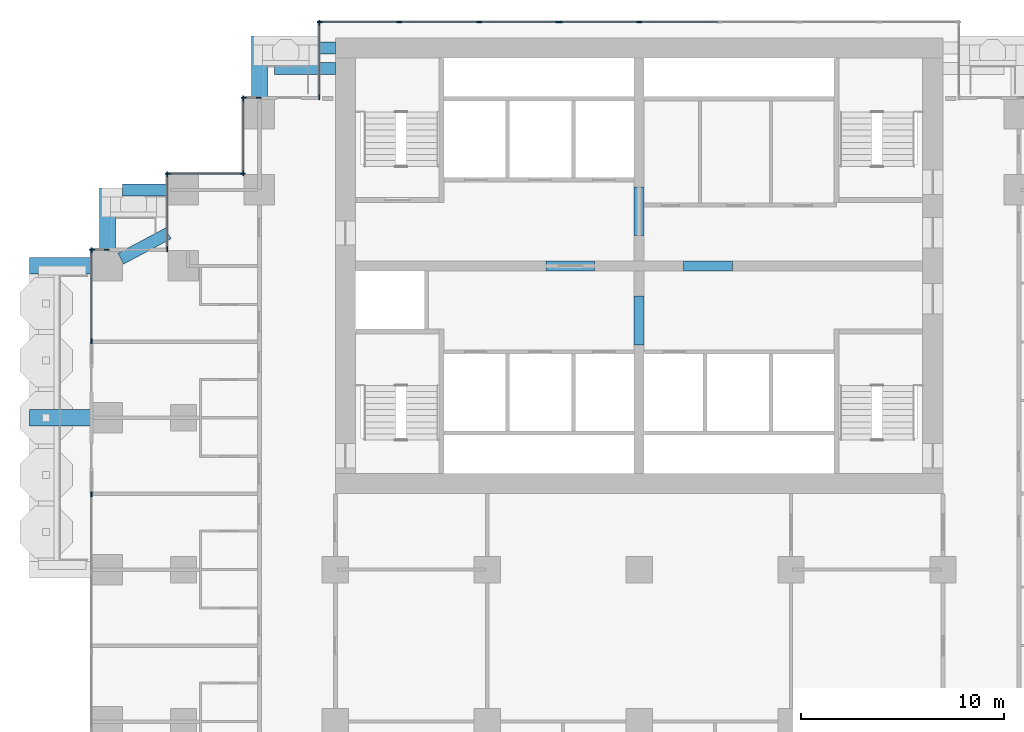
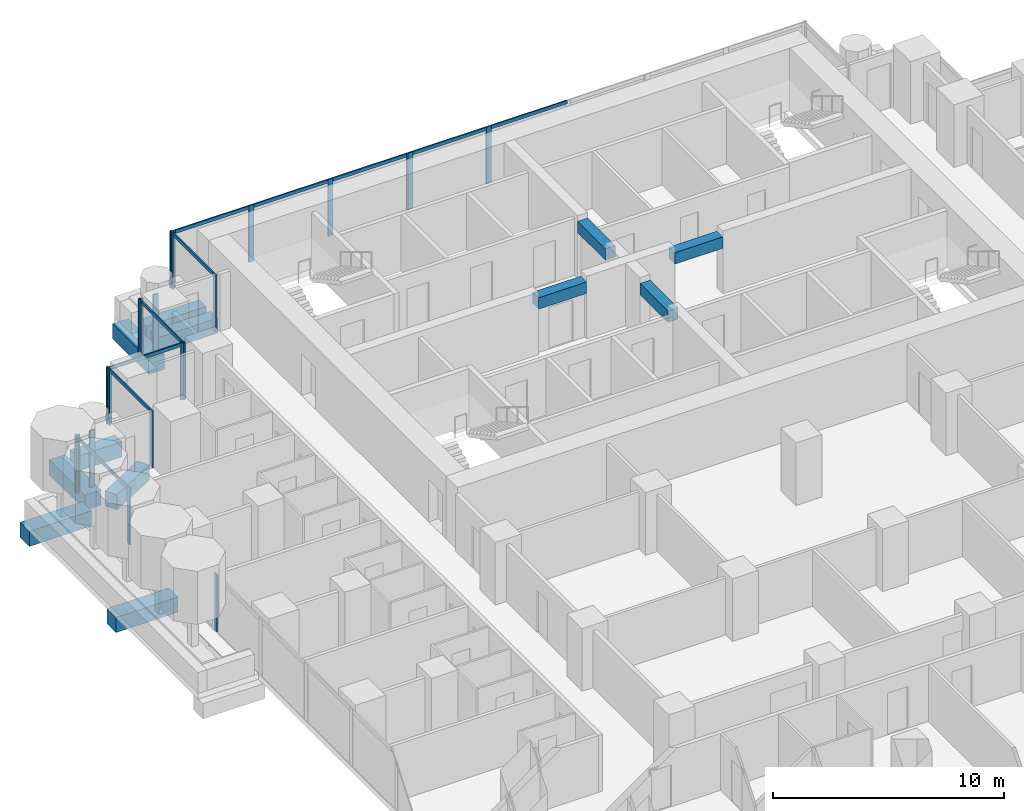
# One storey, part 5 of 18: 31 members, 12 beams, 10 elements without a shape of their own.
"""IFC4 building model written with IfcOpenShell, lengths in metres."""

from ifc_helpers import new_model, si_unit, direction, frame, origin, origin_2d, place, context, subcontext, project, spatial, rectangle, extrude, material, material_profile, profile_set, type_object, element, aggregate, save


model = new_model("IFC4")

# Units and contexts
model_context = context("Model", 3, precision=1e-05, world=origin(), true_north=direction((0.0, 1.0)))
body_context = subcontext(model_context, "Body", "Model", "MODEL_VIEW")
ifc_project = project(units=[si_unit("LENGTHUNIT", "METRE"), si_unit("AREAUNIT", "SQUARE_METRE"), si_unit("VOLUMEUNIT", "CUBIC_METRE"), si_unit("PLANEANGLEUNIT", "RADIAN"), si_unit("MASSUNIT", "GRAM", prefix="KILO")], contexts=[model_context])

# Site, building, storey
site_placement = place(None, origin())
site = spatial("IfcSite", under=ifc_project, at=site_placement, CompositionType="ELEMENT")
building_placement = place(site_placement, origin())
building = spatial("IfcBuilding", under=site, at=building_placement, Name="Pilkhan Gate Tower", CompositionType="ELEMENT")
storey_placement = place(building_placement, frame((0.0, 0.0, 75.800048828125)))
storey = spatial("IfcBuildingStorey", under=building, at=storey_placement, Name="L17", CompositionType="ELEMENT", Elevation=75.800048828125)

# Beams
ifc_material_1 = material(Name="Concrete C50/60", Category="concrete")
ifc_material_profile_1 = material_profile(ifc_material_1, rectangle(XDim=0.60009765625, YDim=0.800048828125, at=origin_2d()), Name="RC 600x800")
ifc_profile_set_1 = profile_set([ifc_material_profile_1], Name="Concrete C50/60")
beam_type_1 = type_object("IfcBeamType", Name="Cantilever beam CB1 RC 600x800 C50/60", PredefinedType="BEAM", material=ifc_profile_set_1)
for number, where, z_axis, x_axis, name in (
    (1, (60.0, 93.25, -0.699951171875), (-1.0, 0.0, 0.0), (0.0, -1.0, 0.0), "Balcony beam NW.2 L17"),
    (2, (60.0, 92.25, -0.699951171875), (-1.0, 0.0, 0.0), (0.0, -1.0, 0.0), "Balcony beam NW.3 L17"),
):
    element("IfcBeam", number, at=place(storey_placement, frame(where, z_axis=z_axis, x_axis=x_axis)), inside=storey, type_object=beam_type_1, Name=name, PredefinedType="BEAM", context=body_context, shape_type="SweptSolid", body=[
        extrude(rectangle(XDim=0.60009765625, YDim=0.800048828125, at=origin_2d()), origin(), (0.0, 0.0, 1.0), 3.0),
    ])
beam_1_placement = place(storey_placement, frame((51.75, 86.25, -0.699951171875), z_axis=(-1.0, 0.0, 0.0), x_axis=(0.0, -1.0, 0.0)))
element("IfcBeam", 3, at=beam_1_placement, inside=storey, type_object=beam_type_1, Name="Balcony beam NW2.2 L17", PredefinedType="BEAM", context=body_context, shape_type="SweptSolid", body=[
    extrude(rectangle(XDim=0.60009765625, YDim=0.800048828125, at=origin_2d()), origin(), (0.0, 0.0, 1.0), 2.25),
])
beam_2_placement = place(storey_placement, frame((49.411865234375, 82.85302734375, -0.699951171875), z_axis=(0.882342739565, 0.470607362817, 0.0), x_axis=(-0.470607362817, 0.882342739565, 0.0)))
element("IfcBeam", 4, at=beam_2_placement, inside=storey, type_object=beam_type_1, Name="Balcony beam NW2.3 L17", PredefinedType="BEAM", context=body_context, shape_type="SweptSolid", body=[
    extrude(rectangle(XDim=0.60009765625, YDim=0.800048828125, at=origin_2d()), origin(), (0.0, 0.0, 1.0), 2.64990234375),
])
ifc_material_profile_2 = material_profile(ifc_material_1, rectangle(XDim=0.800048828125, YDim=0.800048828125, at=origin_2d()), Name="RC 800x800")
ifc_profile_set_2 = profile_set([ifc_material_profile_2], Name="Concrete C50/60")
beam_type_2 = type_object("IfcBeamType", Name="Cantilever beam CB2 RC 800x800 C50/60", PredefinedType="BEAM", material=ifc_profile_set_2)
for number, where, z_axis, x_axis, name in (
    (5, (56.25, 90.75, -0.699951171875), (0.0, 1.0, 0.0), (-1.0, 0.0, 0.0), "Balcony beam NW.1 L17"),
    (6, (48.75, 83.25, -0.699951171875), (0.0, 1.0, 0.0), (-1.0, 0.0, 0.0), "Balcony beam NW2.1 L17"),
    (7, (48.0, 75.0, -0.699951171875), (-1.0, 0.0, 0.0), (0.0, -1.0, 0.0), "Balcony beam W.2 L17"),
    (8, (48.0, 82.5, -0.699951171875), (-1.0, 0.0, 0.0), (0.0, -1.0, 0.0), "Balcony beam W.3 L17"),
):
    element("IfcBeam", number, at=place(storey_placement, frame(where, z_axis=z_axis, x_axis=x_axis)), inside=storey, type_object=beam_type_2, Name=name, PredefinedType="BEAM", context=body_context, shape_type="SweptSolid", body=[
        extrude(rectangle(XDim=0.800048828125, YDim=0.800048828125, at=origin_2d()), origin(), (0.0, 0.0, 1.0), 3.10009765625),
    ])
ifc_material_2 = material(Name="Concrete C70/85", Category="concrete")
ifc_material_profile_3 = material_profile(ifc_material_2, rectangle(XDim=0.5, YDim=0.60009765625, at=origin_2d()), Name="RC 500x600")
ifc_profile_set_3 = profile_set([ifc_material_profile_3], Name="Concrete C70/85")
beam_type_3 = type_object("IfcBeamType", Name="Coupling beam CB60 RC 500x600 C70/85", PredefinedType="LINTEL", material=ifc_profile_set_3)
for number, where, z_axis, x_axis, name in (
    (9, (70.39990234375, 82.5, 2.699951171875), (1.0, 0.0, 0.0), (0.0, 1.0, 0.0), "Coupling beam 1 L17"),
    (10, (77.199951171875, 82.5, 2.699951171875), (1.0, 0.0, 0.0), (0.0, 1.0, 0.0), "Coupling beam 2 L17"),
):
    element("IfcBeam", number, at=place(storey_placement, frame(where, z_axis=z_axis, x_axis=x_axis)), inside=storey, type_object=beam_type_3, Name=name, PredefinedType="LINTEL", context=body_context, shape_type="SweptSolid", body=[
        extrude(rectangle(XDim=0.5, YDim=0.60009765625, at=origin_2d()), origin(), (0.0, 0.0, 1.0), 2.400146484375),
    ])
for number, where, z_axis, x_axis, name in (
    (11, (75.0, 78.60009765625, 2.699951171875), (0.0, 1.0, 0.0), (-1.0, 0.0, 0.0), "Coupling beam 3 L17"),
    (12, (75.0, 84.0, 2.699951171875), (0.0, 1.0, 0.0), (-1.0, 0.0, 0.0), "Coupling beam 4 L17"),
):
    element("IfcBeam", number, at=place(storey_placement, frame(where, z_axis=z_axis, x_axis=x_axis)), inside=storey, type_object=beam_type_3, Name=name, PredefinedType="LINTEL", context=body_context, shape_type="SweptSolid", body=[
        extrude(rectangle(XDim=0.5, YDim=0.60009765625, at=origin_2d()), origin(), (0.0, 0.0, 1.0), 2.39990234375),
    ])

# Curtain wall, members
ifc_material_3 = material(Name="Pale anodised aluminium, clear low-iron double glazing", Category="aluminium")
curtain_wall_type = type_object("IfcCurtainWallType", Name="Hotel unitised curtain wall CW-H", PredefinedType="USERDEFINED", material=ifc_material_3)
curtain_wall_1_placement = place(storey_placement, origin())
curtain_wall_1 = element("IfcCurtainWall", 13, at=curtain_wall_1_placement, inside=storey, type_object=curtain_wall_type, Name="Hotel unitised curtain wall CW-H L17 N", ObjectType="UNITISED CURTAIN WALL", PredefinedType="USERDEFINED")
ifc_material_4 = material(Name="Pale anodised aluminium", Category="aluminium")
ifc_material_profile_4 = material_profile(ifc_material_4, rectangle(XDim=0.06494140625, YDim=0.25, at=origin_2d()), Name="Mullion 250x65")
ifc_profile_set_4 = profile_set([ifc_material_profile_4], Name="Pale anodised aluminium")
member_type_1 = type_object("IfcMemberType", Name="Mullion CW-H 250x65", PredefinedType="MULLION", material=ifc_profile_set_4)
member_1_placement = place(storey_placement, frame((59.237548828125, 94.544921875, 0.0), z_axis=(0.0, 0.0, 1.0), x_axis=(0.0, 1.0, 0.0)))
member_1 = element("IfcMember", 14, at=member_1_placement, type_object=member_type_1, Name="CW-H mullion 1", PredefinedType="MULLION", context=body_context, shape_type="SweptSolid", body=[
    extrude(rectangle(XDim=0.06494140625, YDim=0.25, at=origin_2d()), origin(), (0.0, 0.0, 1.0), 3.0),
])
member_2_placement = place(storey_placement, frame((63.15380859375, 94.544921875, 0.0), z_axis=(0.0, 0.0, 1.0), x_axis=(0.0, 1.0, 0.0)))
member_2 = element("IfcMember", 15, at=member_2_placement, type_object=member_type_1, Name="CW-H mullion 2", PredefinedType="MULLION", context=body_context, shape_type="SweptSolid", body=[
    extrude(rectangle(XDim=0.06494140625, YDim=0.25, at=origin_2d()), origin(), (0.0, 0.0, 1.0), 3.0),
])
member_3_placement = place(storey_placement, frame((67.1025390625, 94.544921875, 0.0), z_axis=(0.0, 0.0, 1.0), x_axis=(0.0, 1.0, 0.0)))
member_3 = element("IfcMember", 16, at=member_3_placement, type_object=member_type_1, Name="CW-H mullion 3", PredefinedType="MULLION", context=body_context, shape_type="SweptSolid", body=[
    extrude(rectangle(XDim=0.06494140625, YDim=0.25, at=origin_2d()), origin(), (0.0, 0.0, 1.0), 3.0),
])
member_4_placement = place(storey_placement, frame((71.018798828125, 94.544921875, 0.0), z_axis=(0.0, 0.0, 1.0), x_axis=(0.0, 1.0, 0.0)))
member_4 = element("IfcMember", 17, at=member_4_placement, type_object=member_type_1, Name="CW-H mullion 4", PredefinedType="MULLION", context=body_context, shape_type="SweptSolid", body=[
    extrude(rectangle(XDim=0.06494140625, YDim=0.25, at=origin_2d()), origin(), (0.0, 0.0, 1.0), 3.0),
])

curtain_wall_2_placement = place(storey_placement, origin())
curtain_wall_2 = element("IfcCurtainWall", 18, at=curtain_wall_2_placement, inside=storey, type_object=curtain_wall_type, Name="Hotel unitised curtain wall CW-H L17 N", ObjectType="UNITISED CURTAIN WALL", PredefinedType="USERDEFINED")
member_5_placement = place(storey_placement, frame((71.083740234375, 94.544921875, 0.0), z_axis=(0.0, 0.0, 1.0), x_axis=(0.0, 1.0, 0.0)))
member_5 = element("IfcMember", 19, at=member_5_placement, type_object=member_type_1, Name="CW-H mullion 1", PredefinedType="MULLION", context=body_context, shape_type="SweptSolid", body=[
    extrude(rectangle(XDim=0.06494140625, YDim=0.25, at=origin_2d()), origin(), (0.0, 0.0, 1.0), 3.0),
])
member_6_placement = place(storey_placement, frame((75.0, 94.544921875, 0.0), z_axis=(0.0, 0.0, 1.0), x_axis=(0.0, 1.0, 0.0)))
member_6 = element("IfcMember", 20, at=member_6_placement, type_object=member_type_1, Name="CW-H mullion 2", PredefinedType="MULLION", context=body_context, shape_type="SweptSolid", body=[
    extrude(rectangle(XDim=0.06494140625, YDim=0.25, at=origin_2d()), origin(), (0.0, 0.0, 1.0), 3.0),
])

curtain_wall_3_placement = place(storey_placement, origin())
curtain_wall_3 = element("IfcCurtainWall", 21, at=curtain_wall_3_placement, inside=storey, type_object=curtain_wall_type, Name="Hotel unitised curtain wall CW-H L17 W", ObjectType="UNITISED CURTAIN WALL", PredefinedType="USERDEFINED")
member_7_placement = place(storey_placement, frame((59.205078125, 90.827392578125, 0.0), z_axis=(0.0, 0.0, 1.0), x_axis=(-1.0, 0.0, 0.0)))
member_7 = element("IfcMember", 22, at=member_7_placement, type_object=member_type_1, Name="CW-H mullion 1", PredefinedType="MULLION", context=body_context, shape_type="SweptSolid", body=[
    extrude(rectangle(XDim=0.06494140625, YDim=0.25, at=origin_2d()), origin(), (0.0, 0.0, 1.0), 3.0),
])
member_8_placement = place(storey_placement, frame((59.205078125, 94.512451171875, 0.0), z_axis=(0.0, 0.0, 1.0), x_axis=(-1.0, 0.0, 0.0)))
member_8 = element("IfcMember", 23, at=member_8_placement, type_object=member_type_1, Name="CW-H mullion 2", PredefinedType="MULLION", context=body_context, shape_type="SweptSolid", body=[
    extrude(rectangle(XDim=0.06494140625, YDim=0.25, at=origin_2d()), origin(), (0.0, 0.0, 1.0), 3.0),
])

curtain_wall_4_placement = place(storey_placement, origin())
curtain_wall_4 = element("IfcCurtainWall", 24, at=curtain_wall_4_placement, inside=storey, type_object=curtain_wall_type, Name="Hotel unitised curtain wall CW-H L17 N", ObjectType="UNITISED CURTAIN WALL", PredefinedType="USERDEFINED")
member_9_placement = place(storey_placement, frame((55.487548828125, 90.794921875, 0.0), z_axis=(0.0, 0.0, 1.0), x_axis=(0.0, 1.0, 0.0)))
member_9 = element("IfcMember", 25, at=member_9_placement, type_object=member_type_1, Name="CW-H mullion 1", PredefinedType="MULLION", context=body_context, shape_type="SweptSolid", body=[
    extrude(rectangle(XDim=0.06494140625, YDim=0.25, at=origin_2d()), origin(), (0.0, 0.0, 1.0), 3.0),
])
member_10_placement = place(storey_placement, frame((56.217529296875, 90.794921875, 0.0), z_axis=(0.0, 0.0, 1.0), x_axis=(0.0, 1.0, 0.0)))
member_10 = element("IfcMember", 26, at=member_10_placement, type_object=member_type_1, Name="CW-H mullion 2", PredefinedType="MULLION", context=body_context, shape_type="SweptSolid", body=[
    extrude(rectangle(XDim=0.06494140625, YDim=0.25, at=origin_2d()), origin(), (0.0, 0.0, 1.0), 3.0),
])
aggregate(curtain_wall_4, [member_9, member_10])

curtain_wall_5_placement = place(storey_placement, origin())
curtain_wall_5 = element("IfcCurtainWall", 27, at=curtain_wall_5_placement, inside=storey, type_object=curtain_wall_type, Name="Hotel unitised curtain wall CW-H L17 W", ObjectType="UNITISED CURTAIN WALL", PredefinedType="USERDEFINED")
member_11_placement = place(storey_placement, frame((55.455078125, 87.077392578125, 0.0), z_axis=(0.0, 0.0, 1.0), x_axis=(-1.0, 0.0, 0.0)))
member_11 = element("IfcMember", 28, at=member_11_placement, type_object=member_type_1, Name="CW-H mullion 1", PredefinedType="MULLION", context=body_context, shape_type="SweptSolid", body=[
    extrude(rectangle(XDim=0.06494140625, YDim=0.25, at=origin_2d()), origin(), (0.0, 0.0, 1.0), 3.0),
])
member_12_placement = place(storey_placement, frame((55.455078125, 90.762451171875, 0.0), z_axis=(0.0, 0.0, 1.0), x_axis=(-1.0, 0.0, 0.0)))
member_12 = element("IfcMember", 29, at=member_12_placement, type_object=member_type_1, Name="CW-H mullion 2", PredefinedType="MULLION", context=body_context, shape_type="SweptSolid", body=[
    extrude(rectangle(XDim=0.06494140625, YDim=0.25, at=origin_2d()), origin(), (0.0, 0.0, 1.0), 3.0),
])

curtain_wall_6_placement = place(storey_placement, origin())
curtain_wall_6 = element("IfcCurtainWall", 30, at=curtain_wall_6_placement, inside=storey, type_object=curtain_wall_type, Name="Hotel unitised curtain wall CW-H L17 N", ObjectType="UNITISED CURTAIN WALL", PredefinedType="USERDEFINED")
member_13_placement = place(storey_placement, frame((51.737548828125, 87.044921875, 0.0), z_axis=(0.0, 0.0, 1.0), x_axis=(0.0, 1.0, 0.0)))
member_13 = element("IfcMember", 31, at=member_13_placement, type_object=member_type_1, Name="CW-H mullion 1", PredefinedType="MULLION", context=body_context, shape_type="SweptSolid", body=[
    extrude(rectangle(XDim=0.06494140625, YDim=0.25, at=origin_2d()), origin(), (0.0, 0.0, 1.0), 3.0),
])
member_14_placement = place(storey_placement, frame((55.422607421875, 87.044921875, 0.0), z_axis=(0.0, 0.0, 1.0), x_axis=(0.0, 1.0, 0.0)))
member_14 = element("IfcMember", 32, at=member_14_placement, type_object=member_type_1, Name="CW-H mullion 2", PredefinedType="MULLION", context=body_context, shape_type="SweptSolid", body=[
    extrude(rectangle(XDim=0.06494140625, YDim=0.25, at=origin_2d()), origin(), (0.0, 0.0, 1.0), 3.0),
])

curtain_wall_7_placement = place(storey_placement, origin())
curtain_wall_7 = element("IfcCurtainWall", 33, at=curtain_wall_7_placement, inside=storey, type_object=curtain_wall_type, Name="Hotel unitised curtain wall CW-H L17 W", ObjectType="UNITISED CURTAIN WALL", PredefinedType="USERDEFINED")
member_15_placement = place(storey_placement, frame((51.705078125, 83.327392578125, 0.0), z_axis=(0.0, 0.0, 1.0), x_axis=(-1.0, 0.0, 0.0)))
member_15 = element("IfcMember", 34, at=member_15_placement, type_object=member_type_1, Name="CW-H mullion 1", PredefinedType="MULLION", context=body_context, shape_type="SweptSolid", body=[
    extrude(rectangle(XDim=0.06494140625, YDim=0.25, at=origin_2d()), origin(), (0.0, 0.0, 1.0), 3.0),
])
member_16_placement = place(storey_placement, frame((51.705078125, 87.012451171875, 0.0), z_axis=(0.0, 0.0, 1.0), x_axis=(-1.0, 0.0, 0.0)))
member_16 = element("IfcMember", 35, at=member_16_placement, type_object=member_type_1, Name="CW-H mullion 2", PredefinedType="MULLION", context=body_context, shape_type="SweptSolid", body=[
    extrude(rectangle(XDim=0.06494140625, YDim=0.25, at=origin_2d()), origin(), (0.0, 0.0, 1.0), 3.0),
])

curtain_wall_8_placement = place(storey_placement, origin())
curtain_wall_8 = element("IfcCurtainWall", 36, at=curtain_wall_8_placement, inside=storey, type_object=curtain_wall_type, Name="Hotel unitised curtain wall CW-H L17 N", ObjectType="UNITISED CURTAIN WALL", PredefinedType="USERDEFINED")
member_17_placement = place(storey_placement, frame((47.987548828125, 83.294921875, 0.0), z_axis=(0.0, 0.0, 1.0), x_axis=(0.0, 1.0, 0.0)))
member_17 = element("IfcMember", 37, at=member_17_placement, type_object=member_type_1, Name="CW-H mullion 1", PredefinedType="MULLION", context=body_context, shape_type="SweptSolid", body=[
    extrude(rectangle(XDim=0.06494140625, YDim=0.25, at=origin_2d()), origin(), (0.0, 0.0, 1.0), 3.0),
])
member_18_placement = place(storey_placement, frame((48.717529296875, 83.294921875, 0.0), z_axis=(0.0, 0.0, 1.0), x_axis=(0.0, 1.0, 0.0)))
member_18 = element("IfcMember", 38, at=member_18_placement, type_object=member_type_1, Name="CW-H mullion 2", PredefinedType="MULLION", context=body_context, shape_type="SweptSolid", body=[
    extrude(rectangle(XDim=0.06494140625, YDim=0.25, at=origin_2d()), origin(), (0.0, 0.0, 1.0), 3.0),
])
aggregate(curtain_wall_8, [member_17, member_18])

# Curtain wall, member
curtain_wall_9_placement = place(storey_placement, origin())
curtain_wall_9 = element("IfcCurtainWall", 39, at=curtain_wall_9_placement, inside=storey, type_object=curtain_wall_type, Name="Hotel unitised curtain wall CW-H L17 W", ObjectType="UNITISED CURTAIN WALL", PredefinedType="USERDEFINED")
member_19_placement = place(storey_placement, frame((47.955078125, 71.217529296875, 0.0), z_axis=(0.0, 0.0, 1.0), x_axis=(-1.0, 0.0, 0.0)))
member_19 = element("IfcMember", 40, at=member_19_placement, type_object=member_type_1, Name="CW-H mullion 3", PredefinedType="MULLION", context=body_context, shape_type="SweptSolid", body=[
    extrude(rectangle(XDim=0.06494140625, YDim=0.25, at=origin_2d()), origin(), (0.0, 0.0, 1.0), 3.0),
])
aggregate(curtain_wall_9, [member_19])

# Curtain wall, members
curtain_wall_10_placement = place(storey_placement, origin())
curtain_wall_10 = element("IfcCurtainWall", 41, at=curtain_wall_10_placement, inside=storey, type_object=curtain_wall_type, Name="Hotel unitised curtain wall CW-H L17 W", ObjectType="UNITISED CURTAIN WALL", PredefinedType="USERDEFINED")
member_20_placement = place(storey_placement, frame((47.955078125, 78.782470703125, 0.0), z_axis=(0.0, 0.0, 1.0), x_axis=(-1.0, 0.0, 0.0)))
member_20 = element("IfcMember", 42, at=member_20_placement, type_object=member_type_1, Name="CW-H mullion 1", PredefinedType="MULLION", context=body_context, shape_type="SweptSolid", body=[
    extrude(rectangle(XDim=0.06494140625, YDim=0.25, at=origin_2d()), origin(), (0.0, 0.0, 1.0), 3.0),
])
member_21_placement = place(storey_placement, frame((47.955078125, 83.262451171875, 0.0), z_axis=(0.0, 0.0, 1.0), x_axis=(-1.0, 0.0, 0.0)))
member_21 = element("IfcMember", 43, at=member_21_placement, type_object=member_type_1, Name="CW-H mullion 2", PredefinedType="MULLION", context=body_context, shape_type="SweptSolid", body=[
    extrude(rectangle(XDim=0.06494140625, YDim=0.25, at=origin_2d()), origin(), (0.0, 0.0, 1.0), 3.0),
])

# Member
ifc_material_profile_5 = material_profile(ifc_material_4, rectangle(XDim=0.06494140625, YDim=0.179931640625, at=origin_2d()), Name="Transom 180x65")
ifc_profile_set_5 = profile_set([ifc_material_profile_5], Name="Pale anodised aluminium")
member_type_2 = type_object("IfcMemberType", Name="Transom CW-H 180x65", PredefinedType="USERDEFINED", material=ifc_profile_set_5)
member_22_placement = place(storey_placement, frame((59.27001953125, 94.544921875, 2.909912109375), z_axis=(1.0, 0.0, 0.0), x_axis=(0.0, 1.0, 0.0)))
member_22 = element("IfcMember", 44, at=member_22_placement, type_object=member_type_2, Name="CW-H transom 1", ObjectType="TRANSOM", PredefinedType="USERDEFINED", context=body_context, shape_type="SweptSolid", body=[
    extrude(rectangle(XDim=0.06494140625, YDim=0.179931640625, at=origin_2d()), origin(), (0.0, 0.0, 1.0), 3.851318359375),
])

member_23_placement = place(storey_placement, frame((63.186279296875, 94.544921875, 2.909912109375), z_axis=(1.0, 0.0, 0.0), x_axis=(0.0, 1.0, 0.0)))
member_23 = element("IfcMember", 45, at=member_23_placement, type_object=member_type_2, Name="CW-H transom 2", ObjectType="TRANSOM", PredefinedType="USERDEFINED", context=body_context, shape_type="SweptSolid", body=[
    extrude(rectangle(XDim=0.06494140625, YDim=0.179931640625, at=origin_2d()), origin(), (0.0, 0.0, 1.0), 3.8837890625),
])

member_24_placement = place(storey_placement, frame((67.135009765625, 94.544921875, 2.909912109375), z_axis=(1.0, 0.0, 0.0), x_axis=(0.0, 1.0, 0.0)))
member_24 = element("IfcMember", 46, at=member_24_placement, type_object=member_type_2, Name="CW-H transom 3", ObjectType="TRANSOM", PredefinedType="USERDEFINED", context=body_context, shape_type="SweptSolid", body=[
    extrude(rectangle(XDim=0.06494140625, YDim=0.179931640625, at=origin_2d()), origin(), (0.0, 0.0, 1.0), 3.851318359375),
])

aggregate(curtain_wall_1, [member_1, member_2, member_3, member_4, member_22, member_23, member_24])

member_25_placement = place(storey_placement, frame((71.1162109375, 94.544921875, 2.909912109375), z_axis=(1.0, 0.0, 0.0), x_axis=(0.0, 1.0, 0.0)))
member_25 = element("IfcMember", 47, at=member_25_placement, type_object=member_type_2, Name="CW-H transom 1", ObjectType="TRANSOM", PredefinedType="USERDEFINED", context=body_context, shape_type="SweptSolid", body=[
    extrude(rectangle(XDim=0.06494140625, YDim=0.179931640625, at=origin_2d()), origin(), (0.0, 0.0, 1.0), 3.851318359375),
])

member_26_placement = place(storey_placement, frame((75.032470703125, 94.544921875, 2.909912109375), z_axis=(1.0, 0.0, 0.0), x_axis=(0.0, 1.0, 0.0)))
member_26 = element("IfcMember", 48, at=member_26_placement, type_object=member_type_2, Name="CW-H transom 2", ObjectType="TRANSOM", PredefinedType="USERDEFINED", context=body_context, shape_type="SweptSolid", body=[
    extrude(rectangle(XDim=0.06494140625, YDim=0.179931640625, at=origin_2d()), origin(), (0.0, 0.0, 1.0), 3.8837890625),
])

aggregate(curtain_wall_2, [member_5, member_6, member_25, member_26])

member_27_placement = place(storey_placement, frame((59.205078125, 90.860107421875, 2.909912109375), z_axis=(0.0, 1.0, 0.0), x_axis=(-1.0, 0.0, 0.0)))
member_27 = element("IfcMember", 49, at=member_27_placement, type_object=member_type_2, Name="CW-H transom 1", ObjectType="TRANSOM", PredefinedType="USERDEFINED", context=body_context, shape_type="SweptSolid", body=[
    extrude(rectangle(XDim=0.06494140625, YDim=0.179931640625, at=origin_2d()), origin(), (0.0, 0.0, 1.0), 3.619873046875),
])

aggregate(curtain_wall_3, [member_7, member_8, member_27])

member_28_placement = place(storey_placement, frame((55.455078125, 87.110107421875, 2.909912109375), z_axis=(0.0, 1.0, 0.0), x_axis=(-1.0, 0.0, 0.0)))
member_28 = element("IfcMember", 50, at=member_28_placement, type_object=member_type_2, Name="CW-H transom 1", ObjectType="TRANSOM", PredefinedType="USERDEFINED", context=body_context, shape_type="SweptSolid", body=[
    extrude(rectangle(XDim=0.06494140625, YDim=0.179931640625, at=origin_2d()), origin(), (0.0, 0.0, 1.0), 3.619873046875),
])

aggregate(curtain_wall_5, [member_11, member_12, member_28])

member_29_placement = place(storey_placement, frame((51.77001953125, 87.044921875, 2.909912109375), z_axis=(1.0, 0.0, 0.0), x_axis=(0.0, 1.0, 0.0)))
member_29 = element("IfcMember", 51, at=member_29_placement, type_object=member_type_2, Name="CW-H transom 1", ObjectType="TRANSOM", PredefinedType="USERDEFINED", context=body_context, shape_type="SweptSolid", body=[
    extrude(rectangle(XDim=0.06494140625, YDim=0.179931640625, at=origin_2d()), origin(), (0.0, 0.0, 1.0), 3.619873046875),
])

aggregate(curtain_wall_6, [member_13, member_14, member_29])

member_30_placement = place(storey_placement, frame((51.705078125, 83.360107421875, 2.909912109375), z_axis=(0.0, 1.0, 0.0), x_axis=(-1.0, 0.0, 0.0)))
member_30 = element("IfcMember", 52, at=member_30_placement, type_object=member_type_2, Name="CW-H transom 1", ObjectType="TRANSOM", PredefinedType="USERDEFINED", context=body_context, shape_type="SweptSolid", body=[
    extrude(rectangle(XDim=0.06494140625, YDim=0.179931640625, at=origin_2d()), origin(), (0.0, 0.0, 1.0), 3.619873046875),
])

aggregate(curtain_wall_7, [member_15, member_16, member_30])

member_31_placement = place(storey_placement, frame((47.955078125, 78.81494140625, 2.909912109375), z_axis=(0.0, 1.0, 0.0), x_axis=(-1.0, 0.0, 0.0)))
member_31 = element("IfcMember", 53, at=member_31_placement, type_object=member_type_2, Name="CW-H transom 1", ObjectType="TRANSOM", PredefinedType="USERDEFINED", context=body_context, shape_type="SweptSolid", body=[
    extrude(rectangle(XDim=0.06494140625, YDim=0.179931640625, at=origin_2d()), origin(), (0.0, 0.0, 1.0), 4.4150390625),
])

aggregate(curtain_wall_10, [member_20, member_21, member_31])

save(model, "model.ifc")
